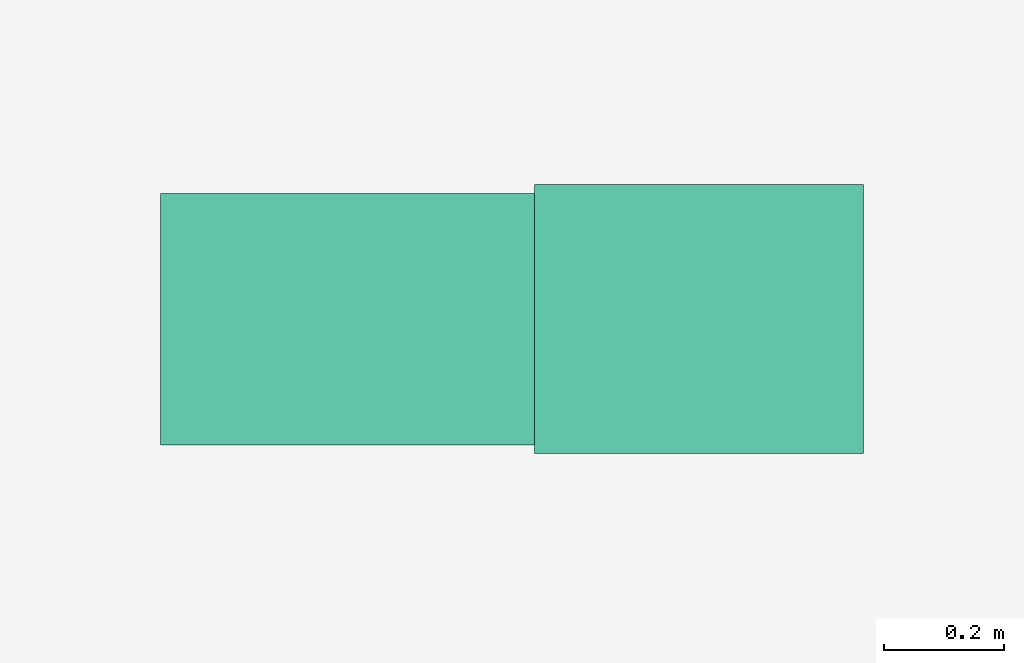
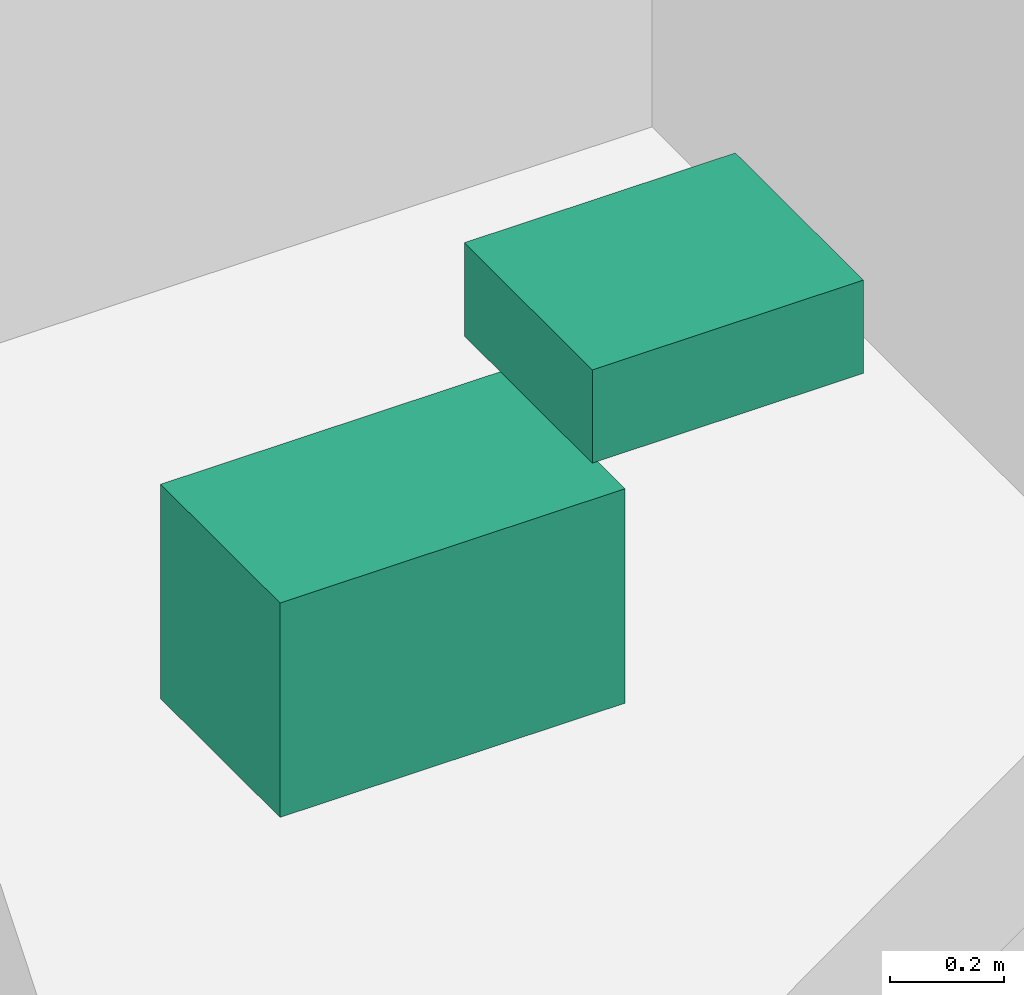
# One storey, part 22 of 22: 2 sanitary terminals.
"""IFC4 building model written with IfcOpenShell, lengths in metres."""

from ifc_helpers import new_model, si_unit, direction, frame, origin, origin_2d, place, context, subcontext, project, spatial, rectangle, extrude, material, type_object, element, save


model = new_model("IFC4")

# Units and contexts
model_context = context("Model", 3, precision=1e-05, world=origin(), true_north=direction((0.0, 1.0)))
body_context = subcontext(model_context, "Body", "Model", "MODEL_VIEW")
ifc_project = project(units=[si_unit("LENGTHUNIT", "METRE"), si_unit("AREAUNIT", "SQUARE_METRE"), si_unit("VOLUMEUNIT", "CUBIC_METRE"), si_unit("PLANEANGLEUNIT", "RADIAN"), si_unit("MASSUNIT", "GRAM", prefix="KILO")], contexts=[model_context])

# Site, building, storey
site_placement = place(None, origin())
site = spatial("IfcSite", under=ifc_project, at=site_placement, CompositionType="ELEMENT")
building_placement = place(site_placement, origin())
building = spatial("IfcBuilding", under=site, at=building_placement, Name="Surkhivell Harbour Commons", CompositionType="ELEMENT")
storey_placement = place(building_placement, frame((0.0, 0.0, 342.0)))
storey = spatial("IfcBuildingStorey", under=building, at=storey_placement, Name="L89", CompositionType="ELEMENT", Elevation=342.0)

# Sanitary terminals
ifc_material_1 = material(Name="Vitreous china washbasin", Category="other")
sanitary_terminal_type_1 = type_object("IfcSanitaryTerminalType", Name="SAN-BSN", PredefinedType="WASHHANDBASIN", material=ifc_material_1)
sanitary_terminal_1_placement = place(storey_placement, frame((1.89990234375, 2.89990234375, 0.72021484375), z_axis=(0.0, 0.0, 1.0), x_axis=(1.0, 0.0, 0.0)))
element("IfcSanitaryTerminal", 1, at=sanitary_terminal_1_placement, inside=storey, type_object=sanitary_terminal_type_1, Name="L89 Core Accessible WC Washbasin", PredefinedType="WASHHANDBASIN", context=body_context, shape_type="SweptSolid", body=[
    extrude(rectangle(XDim=0.550048828125, YDim=0.449951171875, at=origin_2d()), origin(), (0.0, 0.0, 1.0), 0.199951171875),
])
ifc_material_2 = material(Name="Vitreous china sanitaryware", Category="other")
sanitary_terminal_type_2 = type_object("IfcSanitaryTerminalType", Name="SAN-WC-ACC", PredefinedType="TOILETPAN", material=ifc_material_2)
sanitary_terminal_2_placement = place(storey_placement, frame((1.35009765625, 2.89990234375, 0.169921875), z_axis=(0.0, 0.0, 1.0), x_axis=(1.0, 0.0, 0.0)))
element("IfcSanitaryTerminal", 2, at=sanitary_terminal_2_placement, inside=storey, type_object=sanitary_terminal_type_2, Name="L89 Core Accessible WC", PredefinedType="TOILETPAN", context=body_context, shape_type="SweptSolid", body=[
    extrude(rectangle(XDim=0.699951171875, YDim=0.419921875, at=origin_2d()), origin(), (0.0, 0.0, 1.0), 0.4599609375),
])

save(model, "model.ifc")
